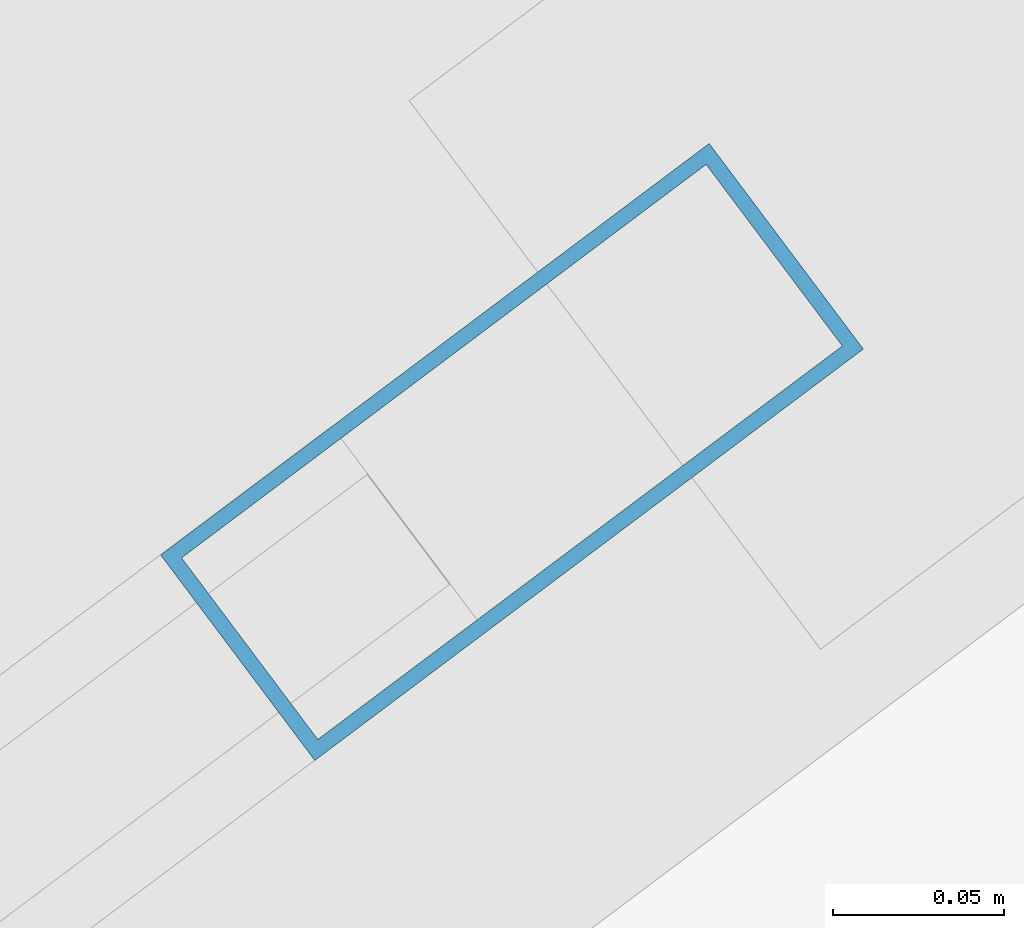
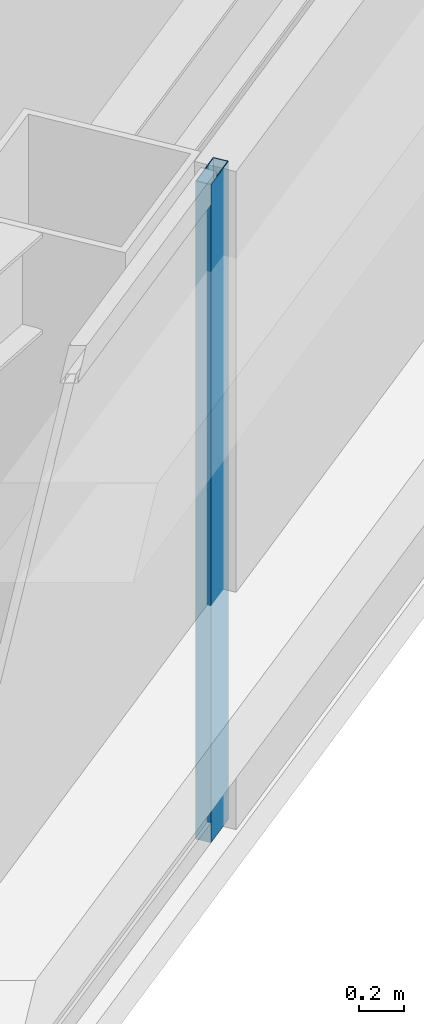
# One storey, part 27 of 50: 1 member, 1 element without a shape of its own.
"""IFC4 building model written with IfcOpenShell, lengths in metres."""

from ifc_helpers import new_model, si_unit, direction, frame, origin, origin_2d, place, context, subcontext, project, spatial, hollow_rectangle, extrude, material, material_profile, profile_set, type_object, element, aggregate, save


model = new_model("IFC4")

# Units and contexts
model_context = context("Model", 3, precision=1e-05, world=origin(), true_north=direction((0.0, 1.0)))
body_context = subcontext(model_context, "Body", "Model", "MODEL_VIEW")
ifc_project = project(units=[si_unit("LENGTHUNIT", "METRE"), si_unit("AREAUNIT", "SQUARE_METRE"), si_unit("VOLUMEUNIT", "CUBIC_METRE"), si_unit("PLANEANGLEUNIT", "RADIAN"), si_unit("MASSUNIT", "GRAM", prefix="KILO")], contexts=[model_context])

# Site, building, storey
site_placement = place(None, origin())
site = spatial("IfcSite", under=ifc_project, at=site_placement, CompositionType="ELEMENT")
building_placement = place(site_placement, origin())
building = spatial("IfcBuilding", under=site, at=building_placement, Name="Tashvorn Skyway Center", CompositionType="ELEMENT")
storey_placement = place(building_placement, frame((0.0, 0.0, 114.39990234375)))
storey = spatial("IfcBuildingStorey", under=building, at=storey_placement, Name="L30", CompositionType="ELEMENT", Elevation=114.39990234375)

# Curtain wall, member
ifc_material = material(Name="Thermally broken bronze-anodized aluminium 6063-T6", Category="aluminium")
curtain_wall_type = type_object("IfcCurtainWallType", Name="CW-CW-Z3", PredefinedType="NOTDEFINED", material=ifc_material)
curtain_wall_placement = place(storey_placement, origin())
curtain_wall = element("IfcCurtainWall", 1, at=curtain_wall_placement, inside=storey, type_object=curtain_wall_type, Name="Tower 2 L30 South Unitised Curtain Wall Glazing Group 2", PredefinedType="NOTDEFINED")
ifc_material_profile = material_profile(ifc_material, hollow_rectangle(XDim=0.074951171875, YDim=0.199951171875, WallThickness=0.00439453125, at=origin_2d()), Name="ALU-MULL-75x200")
ifc_profile_set = profile_set([ifc_material_profile], Name="Thermally broken bronze-anodized aluminium 6063-T6")
member_type = type_object("IfcMemberType", Name="CWM-CW-Z3", PredefinedType="MULLION", material=ifc_profile_set)
member_placement = place(storey_placement, frame((120.703369140625, 14.177490234375, 0.0), z_axis=(0.0, 0.0, 1.0), x_axis=(0.600001511345, -0.799998866489, 0.0)))
member = element("IfcMember", 2, at=member_placement, type_object=member_type, Name="CW-Z3 mullion 1", PredefinedType="MULLION", context=body_context, shape_type="SweptSolid", body=[
    extrude(hollow_rectangle(XDim=0.074951171875, YDim=0.199951171875, WallThickness=0.00439453125, at=origin_2d()), origin(), (0.0, 0.0, 1.0), 3.550048828125),
])
aggregate(curtain_wall, [member])

save(model, "model.ifc")
